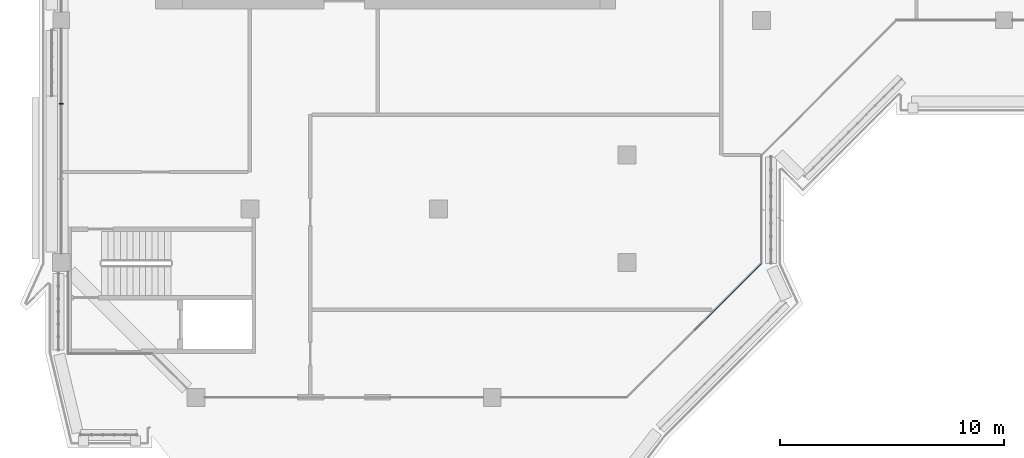
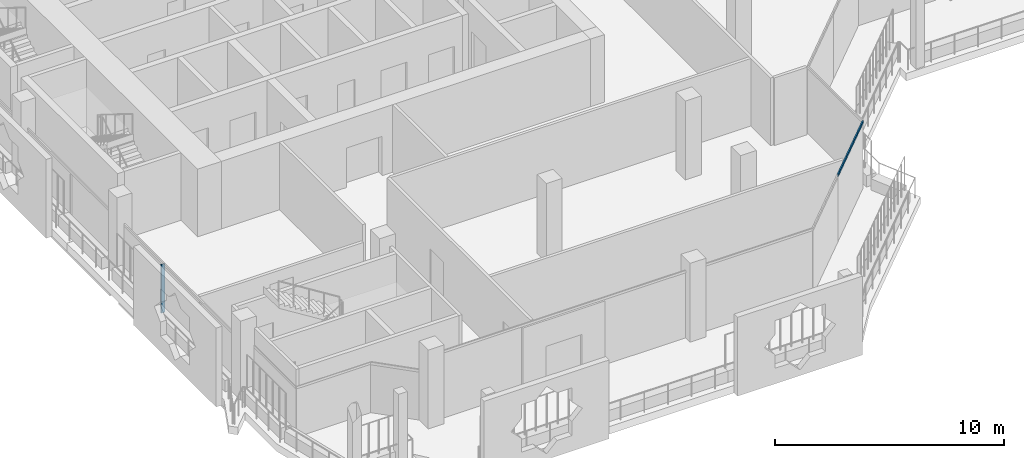
# One storey, part 3 of 21: 2 members, 2 elements without a shape of their own.
"""IFC4 building model written with IfcOpenShell, lengths in metres."""

from ifc_helpers import new_model, si_unit, direction, frame, origin, origin_2d, place, context, subcontext, project, spatial, rectangle, extrude, material, layer, layer_set, material_profile, profile_set, type_object, element, aggregate, save


model = new_model("IFC4")

# Units and contexts
model_context = context("Model", 3, precision=1e-05, world=origin(), true_north=direction((0.0, 1.0)))
body_context = subcontext(model_context, "Body", "Model", "MODEL_VIEW")
ifc_project = project(units=[si_unit("LENGTHUNIT", "METRE"), si_unit("AREAUNIT", "SQUARE_METRE"), si_unit("VOLUMEUNIT", "CUBIC_METRE"), si_unit("PLANEANGLEUNIT", "RADIAN"), si_unit("MASSUNIT", "GRAM", prefix="KILO")], contexts=[model_context])

# Site, building, storey
site_placement = place(None, origin())
site = spatial("IfcSite", under=ifc_project, at=site_placement, CompositionType="ELEMENT")
building_placement = place(site_placement, origin())
building = spatial("IfcBuilding", under=site, at=building_placement, Name="Kawkab Arch Medical Tower", CompositionType="ELEMENT")
storey_placement = place(building_placement, frame((0.0, 0.0, 323.800048828125)))
storey = spatial("IfcBuildingStorey", under=building, at=storey_placement, Name="L75", CompositionType="ELEMENT", Elevation=323.800048828125)

# Curtain wall, member
ifc_material_1 = material(Name="Bronze anodised aluminium curtain wall frame", Category="aluminium")
ifc_layer_1 = layer(ifc_material_1, 0.159912109375)
ifc_layer_set_1 = layer_set([ifc_layer_1], Name="Bronze anodised aluminium curtain wall frame")
curtain_wall_type_1 = type_object("IfcCurtainWallType", Name="CW1 ward curtain wall", PredefinedType="NOTDEFINED", material=ifc_layer_set_1)
placement = place(storey_placement, origin())
curtain_wall_1 = element("IfcCurtainWall", 1, at=placement, inside=storey, type_object=curtain_wall_type_1, Name="CW1 Ward curtain wall R02", PredefinedType="NOTDEFINED")
ifc_material_2 = material(Name="Bronze anodised aluminium curtain wall frame", Category="aluminium")
ifc_material_profile_1 = material_profile(ifc_material_2, rectangle(XDim=0.179931640625, YDim=0.06005859375, at=origin_2d()), Name="AL 60x180")
ifc_profile_set_1 = profile_set([ifc_material_profile_1], Name="Bronze anodised aluminium curtain wall frame")
member_type_1 = type_object("IfcMemberType", Name="CW1 mullion 60 x 180", PredefinedType="MULLION", material=ifc_profile_set_1)
member_1_placement = place(storey_placement, frame((0.0, -28.916748046875, 0.0), z_axis=(0.0, 0.0, 1.0), x_axis=(1.0, 0.0, 0.0)))
member_1 = element("IfcMember", 2, at=member_1_placement, type_object=member_type_1, Name="CW1 mullion 3.1", PredefinedType="MULLION", context=body_context, shape_type="SweptSolid", body=[
    extrude(rectangle(XDim=0.179931640625, YDim=0.06005859375, at=origin_2d()), origin(), (0.0, 0.0, 1.0), 2.579833984375),
])
aggregate(curtain_wall_1, [member_1])

ifc_material_3 = material(Name="Bronze anodised aluminium curtain wall frame", Category="aluminium")
ifc_layer_2 = layer(ifc_material_3, 0.159912109375)
ifc_layer_set_2 = layer_set([ifc_layer_2], Name="Bronze anodised aluminium curtain wall frame")
curtain_wall_type_2 = type_object("IfcCurtainWallType", Name="CW2 chamfer curtain wall", PredefinedType="NOTDEFINED", material=ifc_layer_set_2)
curtain_wall_2 = element("IfcCurtainWall", 3, at=placement, inside=storey, type_object=curtain_wall_type_2, Name="CW2 Chamfer curtain wall R08", PredefinedType="NOTDEFINED")
ifc_material_4 = material(Name="Bronze anodised aluminium curtain wall frame", Category="aluminium")
ifc_material_profile_2 = material_profile(ifc_material_4, rectangle(XDim=0.06005859375, YDim=0.139892578125, at=origin_2d()), Name="AL 60x140")
ifc_profile_set_2 = profile_set([ifc_material_profile_2], Name="Bronze anodised aluminium curtain wall frame")
member_type_2 = type_object("IfcMemberType", Name="CW2 transom 140 x 60", PredefinedType="USERDEFINED", material=ifc_profile_set_2)
member_2_placement = place(storey_placement, frame((28.199951171875, -39.0, 3.530029296875), z_axis=(0.707106781187, 0.707106781187, 0.0), x_axis=(-0.707106781187, 0.707106781187, 0.0)))
member_2 = element("IfcMember", 4, at=member_2_placement, type_object=member_type_2, Name="CW2 transom 2", ObjectType="TRANSOM", PredefinedType="USERDEFINED", context=body_context, shape_type="SweptSolid", body=[
    extrude(rectangle(XDim=0.06005859375, YDim=0.139892578125, at=origin_2d()), origin(), (0.0, 0.0, 1.0), 4.24267578125),
])
aggregate(curtain_wall_2, [member_2])

save(model, "model.ifc")
